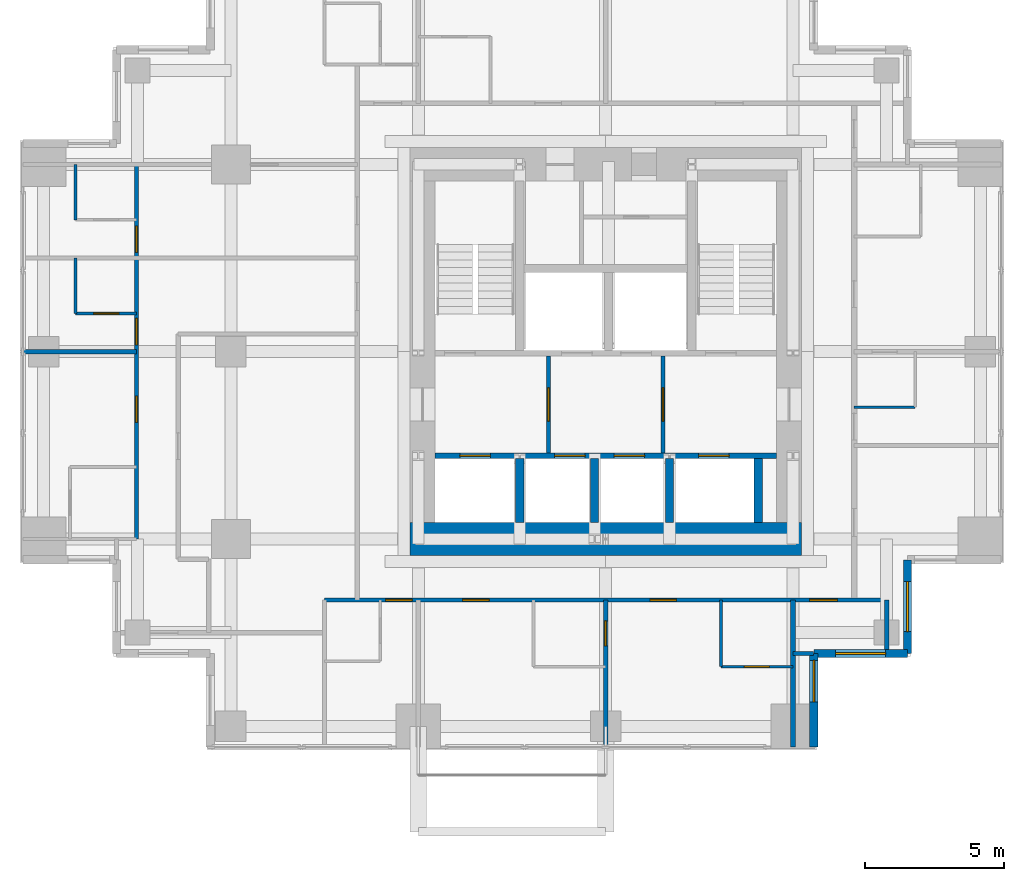
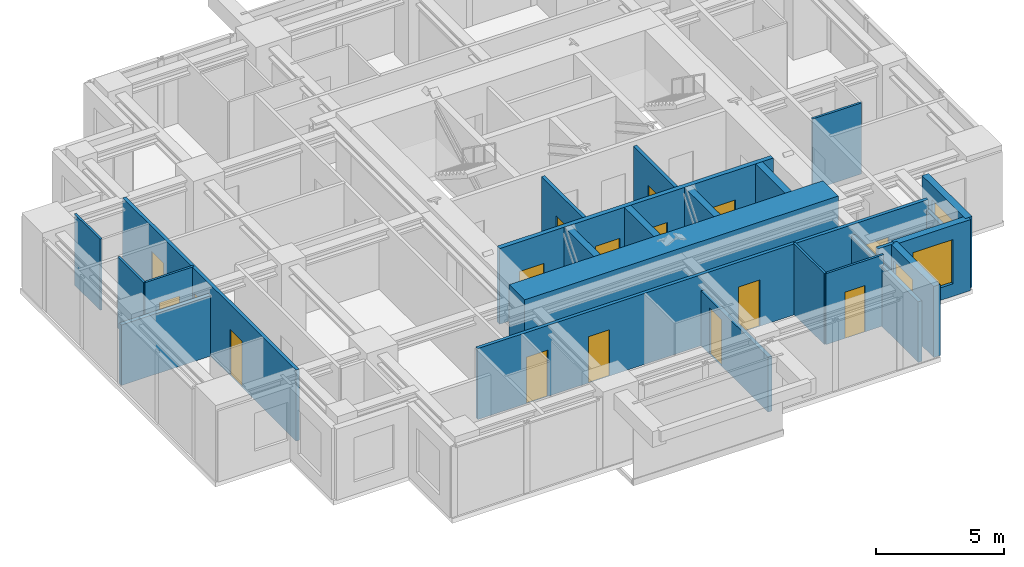
# One storey, part 4 of 8: 24 walls, 16 doors, 3 windows, 19 openings.
"""IFC4 building model written with IfcOpenShell, lengths in metres."""

from ifc_helpers import new_model, si_unit, direction, frame, frame_2d, origin, place, context, subcontext, project, spatial, rectangle, extrude, material, layer, layer_set, type_object, element, fill, save


model = new_model("IFC4")

# Units and contexts
model_context = context("Model", 3, precision=1e-05, world=origin(), true_north=direction((0.0, 1.0)))
body_context = subcontext(model_context, "Body", "Model", "MODEL_VIEW")
ifc_project = project(units=[si_unit("LENGTHUNIT", "METRE"), si_unit("AREAUNIT", "SQUARE_METRE"), si_unit("VOLUMEUNIT", "CUBIC_METRE"), si_unit("PLANEANGLEUNIT", "RADIAN"), si_unit("MASSUNIT", "GRAM", prefix="KILO")], contexts=[model_context])

# Site, building, storey
site_placement = place(None, origin())
site = spatial("IfcSite", under=ifc_project, at=site_placement, CompositionType="ELEMENT")
building_placement = place(site_placement, origin())
building = spatial("IfcBuilding", under=site, at=building_placement, Name="Nyansa Garden Tower", CompositionType="ELEMENT")
storey_placement = place(building_placement, frame((0.0, 0.0, 207.89990234375)))
storey = spatial("IfcBuildingStorey", under=building, at=storey_placement, Name="L56", CompositionType="ELEMENT", Elevation=207.89990234375)

# Wall
ifc_material_1 = material(Name="Dense blockwork, plastered both sides, 55 dB", Category="masonry")
ifc_layer_1 = layer(ifc_material_1, 0.175048828125)
ifc_layer_set_1 = layer_set([ifc_layer_1], Name="Acoustic party wall PW175")
wall_type_1 = type_object("IfcWallType", Name="Acoustic party wall PW175", PredefinedType="PARTITIONING", material=ifc_layer_set_1)
wall_1_placement = place(storey_placement, frame((-0.73388671875, 20.25, 0.0), z_axis=(0.0, 0.0, 1.0), x_axis=(1.0, 0.0, 0.0)))
element("IfcWall", 1, at=wall_1_placement, inside=storey, type_object=wall_type_1, Name="Party wall", PredefinedType="PARTITIONING", context=body_context, shape_type="SweptSolid", body=[
    extrude(rectangle(XDim=4.083984375, YDim=0.175048828125, at=frame_2d((2.0419921875, 0.0))), origin(), (0.0, 0.0, 1.0), 2.877197265625),
])

# Wall, opening, door
wall_2_placement = place(storey_placement, frame((20.25, 6.01611328125, 0.0), z_axis=(0.0, 0.0, 1.0), x_axis=(0.0, 1.0, 0.0)))
wall_2 = element("IfcWall", 2, at=wall_2_placement, inside=storey, type_object=wall_type_1, Name="Party wall", PredefinedType="PARTITIONING", context=body_context, shape_type="SweptSolid", body=[
    extrude(rectangle(XDim=5.283935546875, YDim=0.175048828125, at=frame_2d((2.64208984375, 0.0))), origin(), (0.0, 0.0, 1.0), 2.610107421875),
])
opening_1_placement = place(wall_2_placement, frame((3.634033203125, 0.0, 0.0)))
opening_1 = element("IfcOpeningElement", 3, at=opening_1_placement, cuts=wall_2, Name="Opening D02", PredefinedType="OPENING", context=body_context, shape_type="SweptSolid", body=[
    extrude(rectangle(XDim=0.89990234375, YDim=2.199951171875, at=frame_2d((0.449951171875, 1.10009765625))), frame((0.0, 0.097412109375, 0.0), z_axis=(0.0, -1.0, 0.0), x_axis=(1.0, 0.0, 0.0)), (0.0, 0.0, 1.0), 0.195068359375),
])
ifc_material_2 = material(Name="Timber flush door", Category="wood")
door_type_1 = type_object("IfcDoorType", Name="En-suite door D02 900x2200", OperationType="SINGLE_SWING_RIGHT", PredefinedType="DOOR", material=ifc_material_2)
door_1_placement = place(opening_1_placement, origin())
door_1 = element("IfcDoor", 4, at=door_1_placement, inside=storey, type_object=door_type_1, Name="Door L56-022", OperationType="SINGLE_SWING_RIGHT", OverallHeight=2.199951171875, OverallWidth=0.89990234375, PredefinedType="DOOR", context=body_context, shape_type="SweptSolid", body=[
    extrude(rectangle(XDim=0.89990234375, YDim=2.199951171875, at=frame_2d((0.449951171875, 1.10009765625))), frame((0.0, 0.02490234375, 0.0), z_axis=(0.0, -1.0, 0.0), x_axis=(1.0, 0.0, 0.0)), (0.0, 0.0, 1.0), 0.050048828125),
])
fill(opening_1, door_1)

# Wall
wall_3_placement = place(storey_placement, frame((27.0, 6.01611328125, 0.0), z_axis=(0.0, 0.0, 1.0), x_axis=(0.0, 1.0, 0.0)))
element("IfcWall", 5, at=wall_3_placement, inside=storey, type_object=wall_type_1, Name="Party wall", PredefinedType="PARTITIONING", context=body_context, shape_type="SweptSolid", body=[
    extrude(rectangle(XDim=5.283935546875, YDim=0.175048828125, at=frame_2d((2.64208984375, 0.0))), origin(), (0.0, 0.0, 1.0), 2.877197265625),
])

# Wall, openings, doors
ifc_material_3 = material(Name="Concrete C70/85", Category="concrete")
ifc_layer_2 = layer(ifc_material_3, 0.199951171875)
ifc_layer_set_2 = layer_set([ifc_layer_2], Name="Core inner wall CI200")
wall_type_2 = type_object("IfcWallType", Name="Core inner wall CI200", PredefinedType="SHEAR", material=ifc_layer_set_2)
wall_4_placement = place(storey_placement, frame((14.10009765625, 16.5, 0.0), z_axis=(0.0, 0.0, 1.0), x_axis=(1.0, 0.0, 0.0)))
wall_4 = element("IfcWall", 6, at=wall_4_placement, inside=storey, type_object=wall_type_2, Name="Core inner wall L56", PredefinedType="SHEAR", context=body_context, shape_type="SweptSolid", body=[
    extrude(rectangle(XDim=12.2998046875, YDim=0.199951171875, at=frame_2d((6.14990234375, 0.0))), origin(), (0.0, 0.0, 1.0), 3.60009765625),
])
opening_2_placement = place(wall_4_placement, frame((0.89990234375, 0.0, 0.0)))
opening_2 = element("IfcOpeningElement", 7, at=opening_2_placement, cuts=wall_4, Name="Opening LD-F", PredefinedType="OPENING", context=body_context, shape_type="SweptSolid", body=[
    extrude(rectangle(XDim=1.10009765625, YDim=2.199951171875, at=frame_2d((0.550048828125, 1.10009765625))), frame((0.0, 0.10986328125, 0.0), z_axis=(0.0, -1.0, 0.0), x_axis=(1.0, 0.0, 0.0)), (0.0, 0.0, 1.0), 0.219970703125),
])
opening_3_placement = place(wall_4_placement, frame((4.31005859375, 0.0, 0.0)))
opening_3 = element("IfcOpeningElement", 8, at=opening_3_placement, cuts=wall_4, Name="Opening LD-B", PredefinedType="OPENING", context=body_context, shape_type="SweptSolid", body=[
    extrude(rectangle(XDim=1.10009765625, YDim=2.199951171875, at=frame_2d((0.550048828125, 1.10009765625))), frame((0.0, 0.10986328125, 0.0), z_axis=(0.0, -1.0, 0.0), x_axis=(1.0, 0.0, 0.0)), (0.0, 0.0, 1.0), 0.219970703125),
])
opening_4_placement = place(wall_4_placement, frame((6.449951171875, 0.0, 0.0)))
opening_4 = element("IfcOpeningElement", 9, at=opening_4_placement, cuts=wall_4, Name="Opening LD-B", PredefinedType="OPENING", context=body_context, shape_type="SweptSolid", body=[
    extrude(rectangle(XDim=1.10009765625, YDim=2.199951171875, at=frame_2d((0.550048828125, 1.10009765625))), frame((0.0, 0.10986328125, 0.0), z_axis=(0.0, -1.0, 0.0), x_axis=(1.0, 0.0, 0.0)), (0.0, 0.0, 1.0), 0.219970703125),
])
opening_5_placement = place(wall_4_placement, frame((9.5, 0.0, 0.0)))
opening_5 = element("IfcOpeningElement", 10, at=opening_5_placement, cuts=wall_4, Name="Opening LD-F", PredefinedType="OPENING", context=body_context, shape_type="SweptSolid", body=[
    extrude(rectangle(XDim=1.10009765625, YDim=2.199951171875, at=frame_2d((0.550048828125, 1.10009765625))), frame((0.0, 0.10986328125, 0.0), z_axis=(0.0, -1.0, 0.0), x_axis=(1.0, 0.0, 0.0)), (0.0, 0.0, 1.0), 0.219970703125),
])
ifc_material_4 = material(Name="Stainless steel centre-opening landing door of the high-rise lift, E 120", Category="steel")
door_type_2 = type_object("IfcDoorType", Name="Lift landing door LD-B 1100x2200", OperationType="DOUBLE_DOOR_SLIDING", PredefinedType="DOOR", material=ifc_material_4)
door_2_placement = place(opening_3_placement, origin())
door_2 = element("IfcDoor", 11, at=door_2_placement, inside=storey, type_object=door_type_2, Name="Landing door B1", OperationType="DOUBLE_DOOR_SLIDING", OverallHeight=2.199951171875, OverallWidth=1.10009765625, PredefinedType="DOOR", context=body_context, shape_type="SweptSolid", body=[
    extrude(rectangle(XDim=1.10009765625, YDim=2.199951171875, at=frame_2d((0.550048828125, 1.10009765625))), frame((0.0, 0.02490234375, 0.0), z_axis=(0.0, -1.0, 0.0), x_axis=(1.0, 0.0, 0.0)), (0.0, 0.0, 1.0), 0.050048828125),
])
fill(opening_3, door_2)
door_3_placement = place(opening_4_placement, origin())
door_3 = element("IfcDoor", 12, at=door_3_placement, inside=storey, type_object=door_type_2, Name="Landing door B2", OperationType="DOUBLE_DOOR_SLIDING", OverallHeight=2.199951171875, OverallWidth=1.10009765625, PredefinedType="DOOR", context=body_context, shape_type="SweptSolid", body=[
    extrude(rectangle(XDim=1.10009765625, YDim=2.199951171875, at=frame_2d((0.550048828125, 1.10009765625))), frame((0.0, 0.02490234375, 0.0), z_axis=(0.0, -1.0, 0.0), x_axis=(1.0, 0.0, 0.0)), (0.0, 0.0, 1.0), 0.050048828125),
])
fill(opening_4, door_3)
ifc_material_5 = material(Name="Stainless steel centre-opening landing door of the firefighting lift, EN 81-72, E 120", Category="steel")
door_type_3 = type_object("IfcDoorType", Name="Lift landing door LD-F 1100x2200", OperationType="DOUBLE_DOOR_SLIDING", PredefinedType="DOOR", material=ifc_material_5)
door_4_placement = place(opening_2_placement, origin())
door_4 = element("IfcDoor", 13, at=door_4_placement, inside=storey, type_object=door_type_3, Name="Landing door FF1", OperationType="DOUBLE_DOOR_SLIDING", OverallHeight=2.199951171875, OverallWidth=1.10009765625, PredefinedType="DOOR", context=body_context, shape_type="SweptSolid", body=[
    extrude(rectangle(XDim=1.10009765625, YDim=2.199951171875, at=frame_2d((0.550048828125, 1.10009765625))), frame((0.0, 0.02490234375, 0.0), z_axis=(0.0, -1.0, 0.0), x_axis=(1.0, 0.0, 0.0)), (0.0, 0.0, 1.0), 0.050048828125),
])
fill(opening_2, door_4)
door_5_placement = place(opening_5_placement, origin())
door_5 = element("IfcDoor", 14, at=door_5_placement, inside=storey, type_object=door_type_3, Name="Landing door FF2", OperationType="DOUBLE_DOOR_SLIDING", OverallHeight=2.199951171875, OverallWidth=1.10009765625, PredefinedType="DOOR", context=body_context, shape_type="SweptSolid", body=[
    extrude(rectangle(XDim=1.10009765625, YDim=2.199951171875, at=frame_2d((0.550048828125, 1.10009765625))), frame((0.0, 0.02490234375, 0.0), z_axis=(0.0, -1.0, 0.0), x_axis=(1.0, 0.0, 0.0)), (0.0, 0.0, 1.0), 0.050048828125),
])
fill(opening_5, door_5)

# Walls
ifc_material_6 = material(Name="Concrete C70/85", Category="concrete")
ifc_layer_3 = layer(ifc_material_6, 0.300048828125)
ifc_layer_set_3 = layer_set([ifc_layer_3], Name="Core inner wall CI300")
wall_type_3 = type_object("IfcWallType", Name="Core inner wall CI300", PredefinedType="SHEAR", material=ifc_layer_set_3)
for number, where, z_axis, x_axis, name in (
    (15, (17.14990234375, 14.10009765625, 0.0), (0.0, 0.0, 1.0), (0.0, 1.0, 0.0), "Core inner wall L56"),
    (16, (19.85009765625, 14.10009765625, 0.0), (0.0, 0.0, 1.0), (0.0, 1.0, 0.0), "Core inner wall L56"),
    (17, (22.550048828125, 14.10009765625, 0.0), (0.0, 0.0, 1.0), (0.0, 1.0, 0.0), "Core inner wall L56"),
    (18, (25.75, 14.10009765625, 0.0), (0.0, 0.0, 1.0), (0.0, 1.0, 0.0), "Core inner wall L56"),
):
    element("IfcWall", number, at=place(storey_placement, frame(where, z_axis=z_axis, x_axis=x_axis)), inside=storey, type_object=wall_type_3, Name=name, PredefinedType="SHEAR", context=body_context, shape_type="SweptSolid", body=[
        extrude(rectangle(XDim=2.2998046875, YDim=0.300048828125, at=frame_2d((1.14990234375, 0.0))), origin(), (0.0, 0.0, 1.0), 3.60009765625),
    ])
ifc_material_7 = material(Name="Concrete C80/95", Category="concrete")
ifc_layer_4 = layer(ifc_material_7, 1.199951171875)
ifc_layer_set_4 = layer_set([ifc_layer_4], Name="Core wall CW1200")
wall_type_4 = type_object("IfcWallType", Name="Core wall CW1200", PredefinedType="SHEAR", material=ifc_layer_set_4)
wall_5_placement = place(storey_placement, frame((13.199951171875, 13.5, 0.0), z_axis=(0.0, 0.0, 1.0), x_axis=(1.0, 0.0, 0.0)))
element("IfcWall", 19, at=wall_5_placement, inside=storey, type_object=wall_type_4, Name="Core wall S L56", PredefinedType="SHEAR", context=body_context, shape_type="SweptSolid", body=[
    extrude(rectangle(XDim=14.10009765625, YDim=1.199951171875, at=frame_2d((7.050048828125, 0.0))), origin(), (0.0, 0.0, 1.0), 3.60009765625),
])

# Wall, opening, door
ifc_material_8 = material(Name="Blockwork, plastered both sides", Category="masonry")
ifc_layer_5 = layer(ifc_material_8, 0.14990234375)
ifc_layer_set_5 = layer_set([ifc_layer_5], Name="Partition PW150")
wall_type_5 = type_object("IfcWallType", Name="Partition PW150", PredefinedType="PARTITIONING", material=ifc_layer_set_5)
wall_6_placement = place(storey_placement, frame((18.18505859375, 16.60009765625, 0.0), z_axis=(0.0, 0.0, 1.0), x_axis=(0.0, 1.0, 0.0)))
wall_6 = element("IfcWall", 20, at=wall_6_placement, inside=storey, type_object=wall_type_5, Name="Partition", PredefinedType="PARTITIONING", context=body_context, shape_type="SweptSolid", body=[
    extrude(rectangle(XDim=3.5, YDim=0.14990234375, at=frame_2d((1.75, 0.0))), origin(), (0.0, 0.0, 1.0), 3.375),
])
opening_6_placement = place(wall_6_placement, frame((1.14990234375, 0.0, 0.0)))
opening_6 = element("IfcOpeningElement", 21, at=opening_6_placement, cuts=wall_6, Name="Opening D06", PredefinedType="OPENING", context=body_context, shape_type="SweptSolid", body=[
    extrude(rectangle(XDim=1.199951171875, YDim=2.199951171875, at=frame_2d((0.60009765625, 1.10009765625))), frame((0.0, 0.0849609375, 0.0), z_axis=(0.0, -1.0, 0.0), x_axis=(1.0, 0.0, 0.0)), (0.0, 0.0, 1.0), 0.169921875),
])
ifc_material_9 = material(Name="Steel door, 120 minute fire resisting", Category="steel")
door_type_4 = type_object("IfcDoorType", Name="Lobby door D06 1200x2200", OperationType="DOUBLE_DOOR_SINGLE_SWING", PredefinedType="DOOR", material=ifc_material_9)
door_6_placement = place(opening_6_placement, origin())
door_6 = element("IfcDoor", 22, at=door_6_placement, inside=storey, type_object=door_type_4, Name="Passenger lift lobby door", OperationType="DOUBLE_DOOR_SINGLE_SWING", OverallHeight=2.199951171875, OverallWidth=1.199951171875, PredefinedType="DOOR", context=body_context, shape_type="SweptSolid", body=[
    extrude(rectangle(XDim=1.199951171875, YDim=2.199951171875, at=frame_2d((0.60009765625, 1.10009765625))), frame((0.0, 0.02490234375, 0.0), z_axis=(0.0, -1.0, 0.0), x_axis=(1.0, 0.0, 0.0)), (0.0, 0.0, 1.0), 0.050048828125),
])
fill(opening_6, door_6)

wall_7_placement = place(storey_placement, frame((22.31494140625, 16.60009765625, 0.0), z_axis=(0.0, 0.0, 1.0), x_axis=(0.0, 1.0, 0.0)))
wall_7 = element("IfcWall", 23, at=wall_7_placement, inside=storey, type_object=wall_type_5, Name="Partition", PredefinedType="PARTITIONING", context=body_context, shape_type="SweptSolid", body=[
    extrude(rectangle(XDim=3.5, YDim=0.14990234375, at=frame_2d((1.75, 0.0))), origin(), (0.0, 0.0, 1.0), 3.375),
])
opening_7_placement = place(wall_7_placement, frame((1.14990234375, 0.0, 0.0)))
opening_7 = element("IfcOpeningElement", 24, at=opening_7_placement, cuts=wall_7, Name="Opening D06", PredefinedType="OPENING", context=body_context, shape_type="SweptSolid", body=[
    extrude(rectangle(XDim=1.199951171875, YDim=2.199951171875, at=frame_2d((0.60009765625, 1.10009765625))), frame((0.0, 0.0849609375, 0.0), z_axis=(0.0, -1.0, 0.0), x_axis=(1.0, 0.0, 0.0)), (0.0, 0.0, 1.0), 0.169921875),
])
door_7_placement = place(opening_7_placement, origin())
door_7 = element("IfcDoor", 25, at=door_7_placement, inside=storey, type_object=door_type_4, Name="Passenger lift lobby door", OperationType="DOUBLE_DOOR_SINGLE_SWING", OverallHeight=2.199951171875, OverallWidth=1.199951171875, PredefinedType="DOOR", context=body_context, shape_type="SweptSolid", body=[
    extrude(rectangle(XDim=1.199951171875, YDim=2.199951171875, at=frame_2d((0.60009765625, 1.10009765625))), frame((0.0, 0.02490234375, 0.0), z_axis=(0.0, -1.0, 0.0), x_axis=(1.0, 0.0, 0.0)), (0.0, 0.0, 1.0), 0.050048828125),
])
fill(opening_7, door_7)

# Wall, openings, doors
wall_8_placement = place(storey_placement, frame((3.35009765625, 13.5, 0.0), z_axis=(0.0, 0.0, 1.0), x_axis=(0.0, 1.0, 0.0)))
wall_8 = element("IfcWall", 26, at=wall_8_placement, inside=storey, type_object=wall_type_5, Name="Partition", PredefinedType="PARTITIONING", context=body_context, shape_type="SweptSolid", body=[
    extrude(rectangle(XDim=13.5, YDim=0.14990234375, at=frame_2d((6.75, 0.0))), origin(), (0.0, 0.0, 1.0), 3.375),
])
opening_8_placement = place(wall_8_placement, frame((10.324951171875, 0.0, 0.0)))
opening_8 = element("IfcOpeningElement", 27, at=opening_8_placement, cuts=wall_8, Name="Opening D01", PredefinedType="OPENING", context=body_context, shape_type="SweptSolid", body=[
    extrude(rectangle(XDim=0.949951171875, YDim=2.199951171875, at=frame_2d((0.47509765625, 1.10009765625))), frame((0.0, 0.0849609375, 0.0), z_axis=(0.0, -1.0, 0.0), x_axis=(1.0, 0.0, 0.0)), (0.0, 0.0, 1.0), 0.169921875),
])
opening_9_placement = place(wall_8_placement, frame((4.199951171875, 0.0, 0.0)))
opening_9 = element("IfcOpeningElement", 28, at=opening_9_placement, cuts=wall_8, Name="Opening D14", PredefinedType="OPENING", context=body_context, shape_type="SweptSolid", body=[
    extrude(rectangle(XDim=0.949951171875, YDim=2.199951171875, at=frame_2d((0.47509765625, 1.10009765625))), frame((0.0, 0.0849609375, 0.0), z_axis=(0.0, -1.0, 0.0), x_axis=(1.0, 0.0, 0.0)), (0.0, 0.0, 1.0), 0.169921875),
])
opening_10_placement = place(wall_8_placement, frame((7.0, 0.0, 0.0)))
opening_10 = element("IfcOpeningElement", 29, at=opening_10_placement, cuts=wall_8, Name="Opening D14", PredefinedType="OPENING", context=body_context, shape_type="SweptSolid", body=[
    extrude(rectangle(XDim=0.949951171875, YDim=2.199951171875, at=frame_2d((0.47509765625, 1.10009765625))), frame((0.0, 0.0849609375, 0.0), z_axis=(0.0, -1.0, 0.0), x_axis=(1.0, 0.0, 0.0)), (0.0, 0.0, 1.0), 0.169921875),
])
ifc_material_10 = material(Name="Timber flush door, 30 minute fire resisting", Category="wood")
door_type_5 = type_object("IfcDoorType", Name="Bedroom door D01 950x2200", OperationType="SINGLE_SWING_LEFT", PredefinedType="DOOR", material=ifc_material_10)
door_8_placement = place(opening_8_placement, origin())
door_8 = element("IfcDoor", 30, at=door_8_placement, inside=storey, type_object=door_type_5, Name="Door L56-039", OperationType="SINGLE_SWING_LEFT", OverallHeight=2.199951171875, OverallWidth=0.949951171875, PredefinedType="DOOR", context=body_context, shape_type="SweptSolid", body=[
    extrude(rectangle(XDim=0.949951171875, YDim=2.199951171875, at=frame_2d((0.47509765625, 1.10009765625))), frame((0.0, 0.02490234375, 0.0), z_axis=(0.0, -1.0, 0.0), x_axis=(1.0, 0.0, 0.0)), (0.0, 0.0, 1.0), 0.050048828125),
])
fill(opening_8, door_8)
ifc_material_11 = material(Name="Timber flush door, 60 minute fire resisting, self-closing", Category="wood")
door_type_6 = type_object("IfcDoorType", Name="Studio entrance door D14 950x2200", OperationType="SINGLE_SWING_LEFT", PredefinedType="DOOR", material=ifc_material_11)
door_9_placement = place(opening_9_placement, origin())
door_9 = element("IfcDoor", 31, at=door_9_placement, inside=storey, type_object=door_type_6, Name="Door L56-042", OperationType="SINGLE_SWING_LEFT", OverallHeight=2.199951171875, OverallWidth=0.949951171875, PredefinedType="DOOR", context=body_context, shape_type="SweptSolid", body=[
    extrude(rectangle(XDim=0.949951171875, YDim=2.199951171875, at=frame_2d((0.47509765625, 1.10009765625))), frame((0.0, 0.02490234375, 0.0), z_axis=(0.0, -1.0, 0.0), x_axis=(1.0, 0.0, 0.0)), (0.0, 0.0, 1.0), 0.050048828125),
])
fill(opening_9, door_9)
door_10_placement = place(opening_10_placement, origin())
door_10 = element("IfcDoor", 32, at=door_10_placement, inside=storey, type_object=door_type_6, Name="Door L56-044", OperationType="SINGLE_SWING_LEFT", OverallHeight=2.199951171875, OverallWidth=0.949951171875, PredefinedType="DOOR", context=body_context, shape_type="SweptSolid", body=[
    extrude(rectangle(XDim=0.949951171875, YDim=2.199951171875, at=frame_2d((0.47509765625, 1.10009765625))), frame((0.0, 0.02490234375, 0.0), z_axis=(0.0, -1.0, 0.0), x_axis=(1.0, 0.0, 0.0)), (0.0, 0.0, 1.0), 0.050048828125),
])
fill(opening_10, door_10)

wall_9_placement = place(storey_placement, frame((10.125, 11.300048828125, 0.0), z_axis=(0.0, 0.0, 1.0), x_axis=(1.0, 0.0, 0.0)))
wall_9 = element("IfcWall", 33, at=wall_9_placement, inside=storey, type_object=wall_type_5, Name="Partition", PredefinedType="PARTITIONING", context=body_context, shape_type="SweptSolid", body=[
    extrude(rectangle(XDim=20.25, YDim=0.14990234375, at=frame_2d((10.125, 0.0))), origin(), (0.0, 0.0, 1.0), 3.375),
])
opening_11_placement = place(wall_9_placement, frame((11.72509765625, 0.0, 0.0)))
opening_11 = element("IfcOpeningElement", 34, at=opening_11_placement, cuts=wall_9, Name="Opening D14", PredefinedType="OPENING", context=body_context, shape_type="SweptSolid", body=[
    extrude(rectangle(XDim=0.949951171875, YDim=2.199951171875, at=frame_2d((0.47509765625, 1.10009765625))), frame((0.0, 0.0849609375, 0.0), z_axis=(0.0, -1.0, 0.0), x_axis=(1.0, 0.0, 0.0)), (0.0, 0.0, 1.0), 0.169921875),
])
opening_12_placement = place(wall_9_placement, frame((4.97509765625, 0.0, 0.0)))
opening_12 = element("IfcOpeningElement", 35, at=opening_12_placement, cuts=wall_9, Name="Opening D14", PredefinedType="OPENING", context=body_context, shape_type="SweptSolid", body=[
    extrude(rectangle(XDim=0.949951171875, YDim=2.199951171875, at=frame_2d((0.47509765625, 1.10009765625))), frame((0.0, 0.0849609375, 0.0), z_axis=(0.0, -1.0, 0.0), x_axis=(1.0, 0.0, 0.0)), (0.0, 0.0, 1.0), 0.169921875),
])
opening_13_placement = place(wall_9_placement, frame((2.199951171875, 0.0, 0.0)))
opening_13 = element("IfcOpeningElement", 36, at=opening_13_placement, cuts=wall_9, Name="Opening D14", PredefinedType="OPENING", context=body_context, shape_type="SweptSolid", body=[
    extrude(rectangle(XDim=0.949951171875, YDim=2.199951171875, at=frame_2d((0.47509765625, 1.10009765625))), frame((0.0, 0.0849609375, 0.0), z_axis=(0.0, -1.0, 0.0), x_axis=(1.0, 0.0, 0.0)), (0.0, 0.0, 1.0), 0.169921875),
])
opening_14_placement = place(wall_9_placement, frame((17.47509765625, 0.0, 0.0)))
opening_14 = element("IfcOpeningElement", 37, at=opening_14_placement, cuts=wall_9, Name="Opening D03", PredefinedType="OPENING", context=body_context, shape_type="SweptSolid", body=[
    extrude(rectangle(XDim=1.0, YDim=2.199951171875, at=frame_2d((0.5, 1.10009765625))), frame((0.0, 0.0849609375, 0.0), z_axis=(0.0, -1.0, 0.0), x_axis=(1.0, 0.0, 0.0)), (0.0, 0.0, 1.0), 0.169921875),
])
ifc_material_12 = material(Name="Timber flush door, 60 minute fire resisting", Category="wood")
door_type_7 = type_object("IfcDoorType", Name="Cluster entrance door D03 1000x2200", OperationType="SINGLE_SWING_LEFT", PredefinedType="DOOR", material=ifc_material_12)
door_11_placement = place(opening_14_placement, origin())
door_11 = element("IfcDoor", 38, at=door_11_placement, inside=storey, type_object=door_type_7, Name="Door L56-025", OperationType="SINGLE_SWING_LEFT", OverallHeight=2.199951171875, OverallWidth=1.0, PredefinedType="DOOR", context=body_context, shape_type="SweptSolid", body=[
    extrude(rectangle(XDim=1.0, YDim=2.199951171875, at=frame_2d((0.5, 1.10009765625))), frame((0.0, 0.02490234375, 0.0), z_axis=(0.0, -1.0, 0.0), x_axis=(1.0, 0.0, 0.0)), (0.0, 0.0, 1.0), 0.050048828125),
])
fill(opening_14, door_11)
door_12_placement = place(opening_11_placement, origin())
door_12 = element("IfcDoor", 39, at=door_12_placement, inside=storey, type_object=door_type_6, Name="Door L56-019", OperationType="SINGLE_SWING_LEFT", OverallHeight=2.199951171875, OverallWidth=0.949951171875, PredefinedType="DOOR", context=body_context, shape_type="SweptSolid", body=[
    extrude(rectangle(XDim=0.949951171875, YDim=2.199951171875, at=frame_2d((0.47509765625, 1.10009765625))), frame((0.0, 0.02490234375, 0.0), z_axis=(0.0, -1.0, 0.0), x_axis=(1.0, 0.0, 0.0)), (0.0, 0.0, 1.0), 0.050048828125),
])
fill(opening_11, door_12)
door_13_placement = place(opening_12_placement, origin())
door_13 = element("IfcDoor", 40, at=door_13_placement, inside=storey, type_object=door_type_6, Name="Door L56-021", OperationType="SINGLE_SWING_LEFT", OverallHeight=2.199951171875, OverallWidth=0.949951171875, PredefinedType="DOOR", context=body_context, shape_type="SweptSolid", body=[
    extrude(rectangle(XDim=0.949951171875, YDim=2.199951171875, at=frame_2d((0.47509765625, 1.10009765625))), frame((0.0, 0.02490234375, 0.0), z_axis=(0.0, -1.0, 0.0), x_axis=(1.0, 0.0, 0.0)), (0.0, 0.0, 1.0), 0.050048828125),
])
fill(opening_12, door_13)
door_14_placement = place(opening_13_placement, origin())
door_14 = element("IfcDoor", 41, at=door_14_placement, inside=storey, type_object=door_type_6, Name="Door L56-023", OperationType="SINGLE_SWING_LEFT", OverallHeight=2.199951171875, OverallWidth=0.949951171875, PredefinedType="DOOR", context=body_context, shape_type="SweptSolid", body=[
    extrude(rectangle(XDim=0.949951171875, YDim=2.199951171875, at=frame_2d((0.47509765625, 1.10009765625))), frame((0.0, 0.02490234375, 0.0), z_axis=(0.0, -1.0, 0.0), x_axis=(1.0, 0.0, 0.0)), (0.0, 0.0, 1.0), 0.050048828125),
])
fill(opening_13, door_14)

# Walls
wall_10_placement = place(storey_placement, frame((27.0, 9.375, 0.0), z_axis=(0.0, 0.0, 1.0), x_axis=(1.0, 0.0, 0.0)))
element("IfcWall", 42, at=wall_10_placement, inside=storey, type_object=wall_type_5, Name="Partition", PredefinedType="PARTITIONING", context=body_context, shape_type="SweptSolid", body=[
    extrude(rectangle(XDim=0.73388671875, YDim=0.14990234375, at=frame_2d((0.366943359375, 0.0))), origin(), (0.0, 0.0, 1.0), 3.375),
])
wall_11_placement = place(storey_placement, frame((30.375, 9.52490234375, 0.0), z_axis=(0.0, 0.0, 1.0), x_axis=(0.0, 1.0, 0.0)))
element("IfcWall", 43, at=wall_11_placement, inside=storey, type_object=wall_type_5, Name="Partition", PredefinedType="PARTITIONING", context=body_context, shape_type="SweptSolid", body=[
    extrude(rectangle(XDim=1.775146484375, YDim=0.14990234375, at=frame_2d((0.8876953125, 0.0))), origin(), (0.0, 0.0, 1.0), 2.877197265625),
])

# Wall, opening, window
ifc_material_13 = material(Name="Turquoise glazed tile on concrete blockwork", Category="masonry")
ifc_layer_6 = layer(ifc_material_13, 0.300048828125)
ifc_layer_set_6 = layer_set([ifc_layer_6], Name="Tiled corner wall TW300")
wall_type_6 = type_object("IfcWallType", Name="Tiled corner wall TW300", PredefinedType="SOLIDWALL", material=ifc_layer_set_6)
wall_12_placement = place(storey_placement, frame((27.75, 6.0, 0.0), z_axis=(0.0, 0.0, 1.0), x_axis=(0.0, 1.0, 0.0)))
wall_12 = element("IfcWall", 44, at=wall_12_placement, inside=storey, type_object=wall_type_6, Name="Tiled corner wall L56", PredefinedType="SOLIDWALL", context=body_context, shape_type="SweptSolid", body=[
    extrude(rectangle(XDim=3.375, YDim=0.300048828125, at=frame_2d((1.6875, 0.0))), origin(), (0.0, 0.0, 1.0), 3.375),
])
opening_15_placement = place(wall_12_placement, frame((1.632568359375, 0.0, 0.89990234375)))
opening_15 = element("IfcOpeningElement", 45, at=opening_15_placement, cuts=wall_12, Name="Opening W1", PredefinedType="OPENING", context=body_context, shape_type="SweptSolid", body=[
    extrude(rectangle(XDim=1.5, YDim=1.800048828125, at=frame_2d((0.75, 0.89990234375))), frame((0.0, 0.159912109375, 0.0), z_axis=(0.0, -1.0, 0.0), x_axis=(1.0, 0.0, 0.0)), (0.0, 0.0, 1.0), 0.320068359375),
])
ifc_material_14 = material(Name="Black aluminium frame, dark tinted double glazing", Category="aluminium")
window_type_1 = type_object("IfcWindowType", Name="Window W1 1500x1800", PartitioningType="SINGLE_PANEL", PredefinedType="WINDOW", material=ifc_material_14)
window_1_placement = place(opening_15_placement, origin())
window_1 = element("IfcWindow", 46, at=window_1_placement, inside=storey, type_object=window_type_1, Name="Corner window L56", OverallHeight=1.800048828125, OverallWidth=1.5, PartitioningType="SINGLE_PANEL", PredefinedType="WINDOW", context=body_context, shape_type="SweptSolid", body=[
    extrude(rectangle(XDim=1.5, YDim=1.800048828125, at=frame_2d((0.75, 0.89990234375))), frame((0.0, 0.030029296875, 0.0), z_axis=(0.0, -1.0, 0.0), x_axis=(1.0, 0.0, 0.0)), (0.0, 0.0, 1.0), 0.06005859375),
])
fill(opening_15, window_1)

wall_13_placement = place(storey_placement, frame((27.75, 9.375, 0.0), z_axis=(0.0, 0.0, 1.0), x_axis=(1.0, 0.0, 0.0)))
wall_13 = element("IfcWall", 47, at=wall_13_placement, inside=storey, type_object=wall_type_6, Name="Tiled corner wall L56", PredefinedType="SOLIDWALL", context=body_context, shape_type="SweptSolid", body=[
    extrude(rectangle(XDim=3.375, YDim=0.300048828125, at=frame_2d((1.6875, 0.0))), origin(), (0.0, 0.0, 1.0), 3.375),
])
opening_16_placement = place(wall_13_placement, frame((0.78759765625, 0.0, 0.60009765625)))
opening_16 = element("IfcOpeningElement", 48, at=opening_16_placement, cuts=wall_13, Name="Opening W2", PredefinedType="OPENING", context=body_context, shape_type="SweptSolid", body=[
    extrude(rectangle(XDim=1.800048828125, YDim=2.10009765625, at=frame_2d((0.89990234375, 1.050048828125))), frame((0.0, 0.159912109375, 0.0), z_axis=(0.0, -1.0, 0.0), x_axis=(1.0, 0.0, 0.0)), (0.0, 0.0, 1.0), 0.320068359375),
])
ifc_material_15 = material(Name="Black aluminium frame, dark tinted double glazing", Category="aluminium")
window_type_2 = type_object("IfcWindowType", Name="Window W2 1800x2100", PartitioningType="SINGLE_PANEL", PredefinedType="WINDOW", material=ifc_material_15)
window_2_placement = place(opening_16_placement, origin())
window_2 = element("IfcWindow", 49, at=window_2_placement, inside=storey, type_object=window_type_2, Name="Corner window L56", OverallHeight=2.10009765625, OverallWidth=1.800048828125, PartitioningType="SINGLE_PANEL", PredefinedType="WINDOW", context=body_context, shape_type="SweptSolid", body=[
    extrude(rectangle(XDim=1.800048828125, YDim=2.10009765625, at=frame_2d((0.89990234375, 1.050048828125))), frame((0.0, 0.030029296875, 0.0), z_axis=(0.0, -1.0, 0.0), x_axis=(1.0, 0.0, 0.0)), (0.0, 0.0, 1.0), 0.06005859375),
])
fill(opening_16, window_2)

wall_14_placement = place(storey_placement, frame((31.125, 9.375, 0.0), z_axis=(0.0, 0.0, 1.0), x_axis=(0.0, 1.0, 0.0)))
wall_14 = element("IfcWall", 50, at=wall_14_placement, inside=storey, type_object=wall_type_6, Name="Tiled corner wall L56", PredefinedType="SOLIDWALL", context=body_context, shape_type="SweptSolid", body=[
    extrude(rectangle(XDim=3.375, YDim=0.300048828125, at=frame_2d((1.6875, 0.0))), origin(), (0.0, 0.0, 1.0), 3.375),
])
opening_17_placement = place(wall_14_placement, frame((0.78759765625, 0.0, 0.60009765625)))
opening_17 = element("IfcOpeningElement", 51, at=opening_17_placement, cuts=wall_14, Name="Opening W2", PredefinedType="OPENING", context=body_context, shape_type="SweptSolid", body=[
    extrude(rectangle(XDim=1.800048828125, YDim=2.10009765625, at=frame_2d((0.89990234375, 1.050048828125))), frame((0.0, 0.159912109375, 0.0), z_axis=(0.0, -1.0, 0.0), x_axis=(1.0, 0.0, 0.0)), (0.0, 0.0, 1.0), 0.320068359375),
])
window_3_placement = place(opening_17_placement, origin())
window_3 = element("IfcWindow", 52, at=window_3_placement, inside=storey, type_object=window_type_2, Name="Corner window L56", OverallHeight=2.10009765625, OverallWidth=1.800048828125, PartitioningType="SINGLE_PANEL", PredefinedType="WINDOW", context=body_context, shape_type="SweptSolid", body=[
    extrude(rectangle(XDim=1.800048828125, YDim=2.10009765625, at=frame_2d((0.89990234375, 1.050048828125))), frame((0.0, 0.030029296875, 0.0), z_axis=(0.0, -1.0, 0.0), x_axis=(1.0, 0.0, 0.0)), (0.0, 0.0, 1.0), 0.06005859375),
])
fill(opening_17, window_3)

# Wall
ifc_material_16 = material(Name="Moisture resistant board on steel studs, tiled", Category="steel")
ifc_layer_7 = layer(ifc_material_16, 0.10009765625)
ifc_layer_set_7 = layer_set([ifc_layer_7], Name="Wet wall PW100")
wall_type_7 = type_object("IfcWallType", Name="Wet wall PW100", PredefinedType="PARTITIONING", material=ifc_layer_set_7)
wall_15_placement = place(storey_placement, frame((1.14990234375, 21.625, 0.0), z_axis=(0.0, 0.0, 1.0), x_axis=(0.0, 1.0, 0.0)))
element("IfcWall", 53, at=wall_15_placement, inside=storey, type_object=wall_type_7, Name="Wet wall", PredefinedType="PARTITIONING", context=body_context, shape_type="SweptSolid", body=[
    extrude(rectangle(XDim=2.0, YDim=0.10009765625, at=frame_2d((1.0, 0.0))), origin(), (0.0, 0.0, 1.0), 3.375),
])

# Wall, opening, door
wall_16_placement = place(storey_placement, frame((1.14990234375, 21.625, 0.0), z_axis=(0.0, 0.0, 1.0), x_axis=(1.0, 0.0, 0.0)))
wall_16 = element("IfcWall", 54, at=wall_16_placement, inside=storey, type_object=wall_type_7, Name="Wet wall", PredefinedType="PARTITIONING", context=body_context, shape_type="SweptSolid", body=[
    extrude(rectangle(XDim=2.2001953125, YDim=0.10009765625, at=frame_2d((1.10009765625, 0.0))), origin(), (0.0, 0.0, 1.0), 3.375),
])
opening_18_placement = place(wall_16_placement, frame((0.64990234375, 0.0, 0.0)))
opening_18 = element("IfcOpeningElement", 55, at=opening_18_placement, cuts=wall_16, Name="Opening D02", PredefinedType="OPENING", context=body_context, shape_type="SweptSolid", body=[
    extrude(rectangle(XDim=0.89990234375, YDim=2.199951171875, at=frame_2d((0.449951171875, 1.10009765625))), frame((0.0, 0.06005859375, 0.0), z_axis=(0.0, -1.0, 0.0), x_axis=(1.0, 0.0, 0.0)), (0.0, 0.0, 1.0), 0.1201171875),
])
door_15_placement = place(opening_18_placement, origin())
door_15 = element("IfcDoor", 56, at=door_15_placement, inside=storey, type_object=door_type_1, Name="Door L56-045", OperationType="SINGLE_SWING_RIGHT", OverallHeight=2.199951171875, OverallWidth=0.89990234375, PredefinedType="DOOR", context=body_context, shape_type="SweptSolid", body=[
    extrude(rectangle(XDim=0.89990234375, YDim=2.199951171875, at=frame_2d((0.449951171875, 1.10009765625))), frame((0.0, 0.02490234375, 0.0), z_axis=(0.0, -1.0, 0.0), x_axis=(1.0, 0.0, 0.0)), (0.0, 0.0, 1.0), 0.050048828125),
])
fill(opening_18, door_15)

# Walls
wall_17_placement = place(storey_placement, frame((1.14990234375, 25.0, 0.0), z_axis=(0.0, 0.0, 1.0), x_axis=(0.0, 1.0, 0.0)))
element("IfcWall", 57, at=wall_17_placement, inside=storey, type_object=wall_type_7, Name="Wet wall", PredefinedType="PARTITIONING", context=body_context, shape_type="SweptSolid", body=[
    extrude(rectangle(XDim=2.0, YDim=0.10009765625, at=frame_2d((1.0, 0.0))), origin(), (0.0, 0.0, 1.0), 3.375),
])
wall_18_placement = place(storey_placement, frame((24.39990234375, 8.89990234375, 0.0), z_axis=(0.0, 0.0, 1.0), x_axis=(0.0, 1.0, 0.0)))
element("IfcWall", 58, at=wall_18_placement, inside=storey, type_object=wall_type_7, Name="Wet wall", PredefinedType="PARTITIONING", context=body_context, shape_type="SweptSolid", body=[
    extrude(rectangle(XDim=2.400146484375, YDim=0.10009765625, at=frame_2d((1.2001953125, 0.0))), origin(), (0.0, 0.0, 1.0), 3.375),
])

# Wall, opening, door
wall_19_placement = place(storey_placement, frame((24.39990234375, 8.89990234375, 0.0), z_axis=(0.0, 0.0, 1.0), x_axis=(1.0, 0.0, 0.0)))
wall_19 = element("IfcWall", 59, at=wall_19_placement, inside=storey, type_object=wall_type_7, Name="Wet wall", PredefinedType="PARTITIONING", context=body_context, shape_type="SweptSolid", body=[
    extrude(rectangle(XDim=2.60009765625, YDim=0.10009765625, at=frame_2d((1.300048828125, 0.0))), origin(), (0.0, 0.0, 1.0), 3.375),
])
opening_19_placement = place(wall_19_placement, frame((0.85009765625, 0.0, 0.0)))
opening_19 = element("IfcOpeningElement", 60, at=opening_19_placement, cuts=wall_19, Name="Opening D02", PredefinedType="OPENING", context=body_context, shape_type="SweptSolid", body=[
    extrude(rectangle(XDim=0.89990234375, YDim=2.199951171875, at=frame_2d((0.449951171875, 1.10009765625))), frame((0.0, 0.06005859375, 0.0), z_axis=(0.0, -1.0, 0.0), x_axis=(1.0, 0.0, 0.0)), (0.0, 0.0, 1.0), 0.1201171875),
])
door_16_placement = place(opening_19_placement, origin())
door_16 = element("IfcDoor", 61, at=door_16_placement, inside=storey, type_object=door_type_1, Name="Door L56-020", OperationType="SINGLE_SWING_RIGHT", OverallHeight=2.199951171875, OverallWidth=0.89990234375, PredefinedType="DOOR", context=body_context, shape_type="SweptSolid", body=[
    extrude(rectangle(XDim=0.89990234375, YDim=2.199951171875, at=frame_2d((0.449951171875, 1.10009765625))), frame((0.0, 0.02490234375, 0.0), z_axis=(0.0, -1.0, 0.0), x_axis=(1.0, 0.0, 0.0)), (0.0, 0.0, 1.0), 0.050048828125),
])
fill(opening_19, door_16)

# Wall
wall_20_placement = place(storey_placement, frame((29.199951171875, 18.25, 0.0), z_axis=(0.0, 0.0, 1.0), x_axis=(1.0, 0.0, 0.0)))
element("IfcWall", 62, at=wall_20_placement, inside=storey, type_object=wall_type_7, Name="Wet wall", PredefinedType="PARTITIONING", context=body_context, shape_type="SweptSolid", body=[
    extrude(rectangle(XDim=2.199951171875, YDim=0.10009765625, at=frame_2d((1.10009765625, 0.0))), origin(), (0.0, 0.0, 1.0), 3.375),
])

save(model, "model.ifc")
